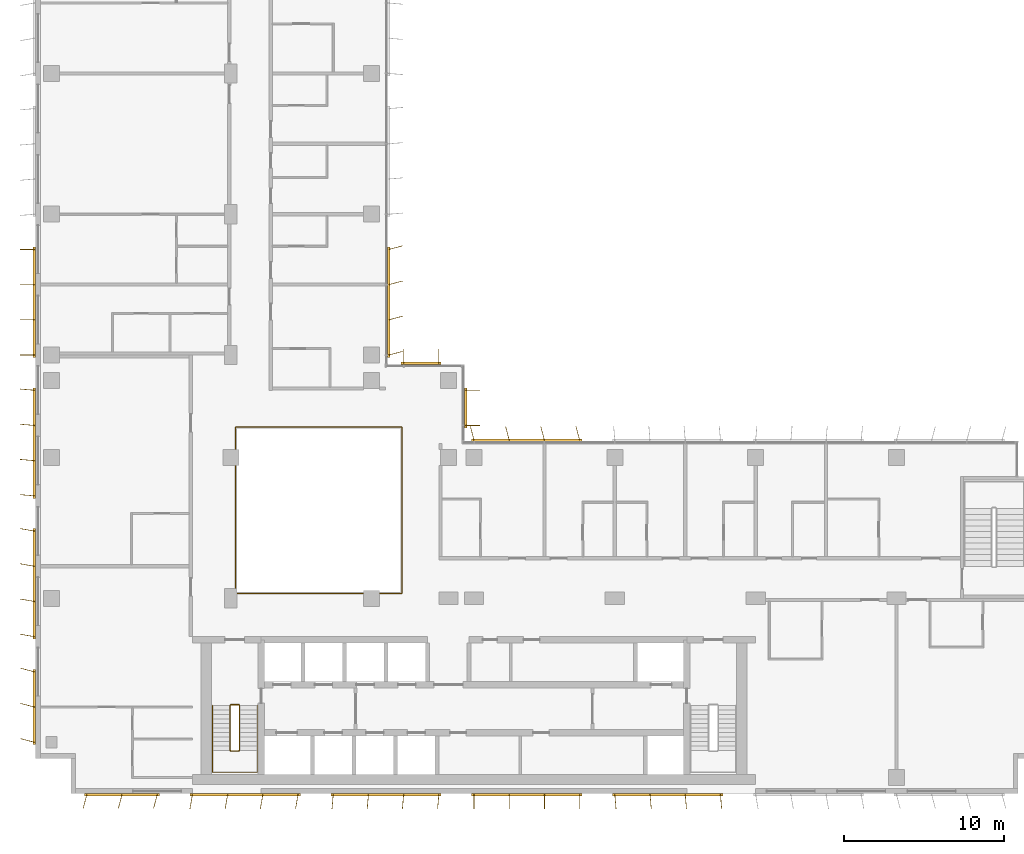
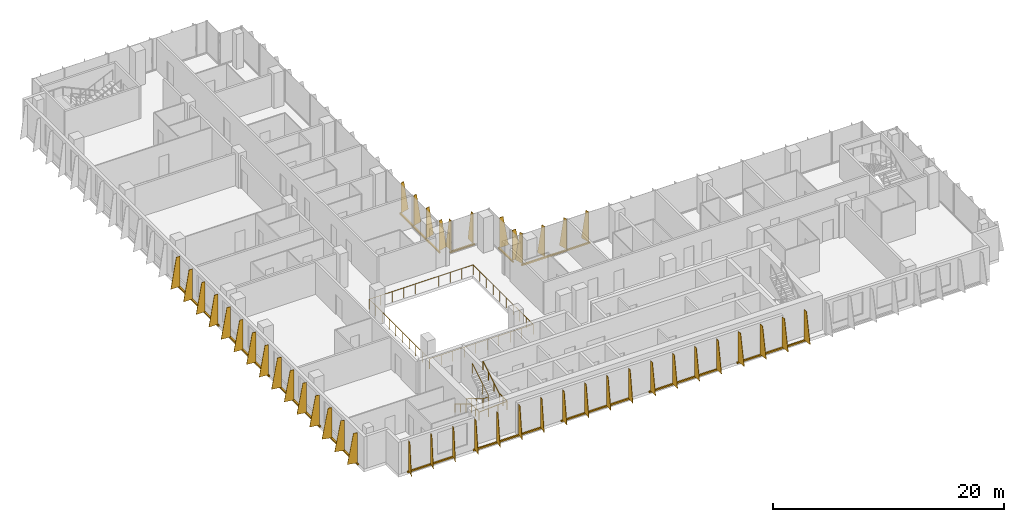
# One storey, part 19 of 21: 13 shading devices, 3 railings.
"""IFC4 building model written with IfcOpenShell, lengths in metres."""

from ifc_helpers import new_model, si_unit, direction, frame, origin, origin_2d, place, context, subcontext, project, spatial, polyline, rectangle, circle, outline, extrude, source, transform, mapped, material, layer, layer_set, type_object, element, save


model = new_model("IFC4")

# Units and contexts
model_context = context("Model", 3, precision=1e-05, world=origin(), true_north=direction((0.0, 1.0)))
body_context = subcontext(model_context, "Body", "Model", "MODEL_VIEW")
ifc_project = project(units=[si_unit("LENGTHUNIT", "METRE"), si_unit("AREAUNIT", "SQUARE_METRE"), si_unit("VOLUMEUNIT", "CUBIC_METRE"), si_unit("PLANEANGLEUNIT", "RADIAN"), si_unit("MASSUNIT", "GRAM", prefix="KILO")], contexts=[model_context])

# Site, building, storey
site_placement = place(None, origin())
site = spatial("IfcSite", under=ifc_project, at=site_placement, CompositionType="ELEMENT")
building_placement = place(site_placement, origin())
building = spatial("IfcBuilding", under=site, at=building_placement, Name="Kemantara Hotel Tower", CompositionType="ELEMENT")
storey_placement = place(building_placement, frame((0.0, 0.0, 167.89990234375)))
storey = spatial("IfcBuildingStorey", under=building, at=storey_placement, Name="L41", CompositionType="ELEMENT", Elevation=167.89990234375)

# Railings
ifc_material_1 = material(Name="Stainless steel and laminated glass balustrade", Category="steel")
railing_type_1 = type_object("IfcRailingType", Name="ATRIUM GUARD 1100", PredefinedType="GUARDRAIL", material=ifc_material_1)
railing_1_placement = place(storey_placement, frame((12.56005859375, 12.5, 0.0)))
element("IfcRailing", 1, at=railing_1_placement, inside=storey, type_object=railing_type_1, Name="ATRIUM GUARD L41", PredefinedType="GUARDRAIL", context=body_context, shape_type="SweptSolid", body=[
    extrude(circle(Radius=0.02490234375, at=origin_2d()), frame((0.0, 0.0, 1.0751953125), z_axis=(1.0, 0.0, 0.0), x_axis=(0.0, 1.0, 0.0)), (0.0, 0.0, 1.0), 10.33984375),
    extrude(circle(Radius=0.02490234375, at=origin_2d()), frame((10.33984375, 0.0, 1.0751953125), z_axis=(0.0, 1.0, 0.0), x_axis=(-1.0, 0.0, 0.0)), (0.0, 0.0, 1.0), 10.39990234375),
    extrude(circle(Radius=0.02490234375, at=origin_2d()), frame((10.33984375, 10.39990234375, 1.0751953125), z_axis=(-1.0, 0.0, 0.0), x_axis=(0.0, -1.0, 0.0)), (0.0, 0.0, 1.0), 10.39990234375),
    extrude(circle(Radius=0.02490234375, at=origin_2d()), frame((-0.06005859375, 10.39990234375, 1.0751953125), z_axis=(0.0, -1.0, 0.0), x_axis=(1.0, 0.0, 0.0)), (0.0, 0.0, 1.0), 10.39990234375),
    extrude(circle(Radius=0.02001953125, at=origin_2d()), origin(), (0.0, 0.0, 1.0), 1.050048828125),
    extrude(circle(Radius=0.02001953125, at=origin_2d()), frame((1.14892578125, 0.0, 0.0)), (0.0, 0.0, 1.0), 1.050048828125),
    extrude(circle(Radius=0.02001953125, at=origin_2d()), frame((2.2978515625, 0.0, 0.0)), (0.0, 0.0, 1.0), 1.050048828125),
    extrude(circle(Radius=0.02001953125, at=origin_2d()), frame((3.446533203125, 0.0, 0.0)), (0.0, 0.0, 1.0), 1.050048828125),
    extrude(circle(Radius=0.02001953125, at=origin_2d()), frame((4.595458984375, 0.0, 0.0)), (0.0, 0.0, 1.0), 1.050048828125),
    extrude(circle(Radius=0.02001953125, at=origin_2d()), frame((5.744384765625, 0.0, 0.0)), (0.0, 0.0, 1.0), 1.050048828125),
    extrude(circle(Radius=0.02001953125, at=origin_2d()), frame((6.893310546875, 0.0, 0.0)), (0.0, 0.0, 1.0), 1.050048828125),
    extrude(circle(Radius=0.02001953125, at=origin_2d()), frame((8.0419921875, 0.0, 0.0)), (0.0, 0.0, 1.0), 1.050048828125),
    extrude(circle(Radius=0.02001953125, at=origin_2d()), frame((9.19091796875, 0.0, 0.0)), (0.0, 0.0, 1.0), 1.050048828125),
    extrude(circle(Radius=0.02001953125, at=origin_2d()), frame((10.33984375, 0.0, 0.0)), (0.0, 0.0, 1.0), 1.050048828125),
    extrude(circle(Radius=0.02001953125, at=origin_2d()), frame((10.33984375, 1.155517578125, 0.0)), (0.0, 0.0, 1.0), 1.050048828125),
    extrude(circle(Radius=0.02001953125, at=origin_2d()), frame((10.33984375, 2.31103515625, 0.0)), (0.0, 0.0, 1.0), 1.050048828125),
    extrude(circle(Radius=0.02001953125, at=origin_2d()), frame((10.33984375, 3.466552734375, 0.0)), (0.0, 0.0, 1.0), 1.050048828125),
    extrude(circle(Radius=0.02001953125, at=origin_2d()), frame((10.33984375, 4.6220703125, 0.0)), (0.0, 0.0, 1.0), 1.050048828125),
    extrude(circle(Radius=0.02001953125, at=origin_2d()), frame((10.33984375, 5.77783203125, 0.0)), (0.0, 0.0, 1.0), 1.050048828125),
    extrude(circle(Radius=0.02001953125, at=origin_2d()), frame((10.33984375, 6.933349609375, 0.0)), (0.0, 0.0, 1.0), 1.050048828125),
    extrude(circle(Radius=0.02001953125, at=origin_2d()), frame((10.33984375, 8.0888671875, 0.0)), (0.0, 0.0, 1.0), 1.050048828125),
    extrude(circle(Radius=0.02001953125, at=origin_2d()), frame((10.33984375, 9.244384765625, 0.0)), (0.0, 0.0, 1.0), 1.050048828125),
    extrude(circle(Radius=0.02001953125, at=origin_2d()), frame((10.33984375, 10.39990234375, 0.0)), (0.0, 0.0, 1.0), 1.050048828125),
    extrude(circle(Radius=0.02001953125, at=origin_2d()), frame((9.184326171875, 10.39990234375, 0.0)), (0.0, 0.0, 1.0), 1.050048828125),
    extrude(circle(Radius=0.02001953125, at=origin_2d()), frame((8.02880859375, 10.39990234375, 0.0)), (0.0, 0.0, 1.0), 1.050048828125),
    extrude(circle(Radius=0.02001953125, at=origin_2d()), frame((6.873291015625, 10.39990234375, 0.0)), (0.0, 0.0, 1.0), 1.050048828125),
    extrude(circle(Radius=0.02001953125, at=origin_2d()), frame((5.7177734375, 10.39990234375, 0.0)), (0.0, 0.0, 1.0), 1.050048828125),
    extrude(circle(Radius=0.02001953125, at=origin_2d()), frame((4.56201171875, 10.39990234375, 0.0)), (0.0, 0.0, 1.0), 1.050048828125),
    extrude(circle(Radius=0.02001953125, at=origin_2d()), frame((3.406494140625, 10.39990234375, 0.0)), (0.0, 0.0, 1.0), 1.050048828125),
    extrude(circle(Radius=0.02001953125, at=origin_2d()), frame((2.2509765625, 10.39990234375, 0.0)), (0.0, 0.0, 1.0), 1.050048828125),
    extrude(circle(Radius=0.02001953125, at=origin_2d()), frame((1.095458984375, 10.39990234375, 0.0)), (0.0, 0.0, 1.0), 1.050048828125),
    extrude(circle(Radius=0.02001953125, at=origin_2d()), frame((-0.06005859375, 10.39990234375, 0.0)), (0.0, 0.0, 1.0), 1.050048828125),
    extrude(circle(Radius=0.02001953125, at=origin_2d()), frame((-0.06005859375, 9.244384765625, 0.0)), (0.0, 0.0, 1.0), 1.050048828125),
    extrude(circle(Radius=0.02001953125, at=origin_2d()), frame((-0.06005859375, 8.0888671875, 0.0)), (0.0, 0.0, 1.0), 1.050048828125),
    extrude(circle(Radius=0.02001953125, at=origin_2d()), frame((-0.06005859375, 6.933349609375, 0.0)), (0.0, 0.0, 1.0), 1.050048828125),
    extrude(circle(Radius=0.02001953125, at=origin_2d()), frame((-0.06005859375, 5.77783203125, 0.0)), (0.0, 0.0, 1.0), 1.050048828125),
    extrude(circle(Radius=0.02001953125, at=origin_2d()), frame((-0.06005859375, 4.6220703125, 0.0)), (0.0, 0.0, 1.0), 1.050048828125),
    extrude(circle(Radius=0.02001953125, at=origin_2d()), frame((-0.06005859375, 3.466552734375, 0.0)), (0.0, 0.0, 1.0), 1.050048828125),
    extrude(circle(Radius=0.02001953125, at=origin_2d()), frame((-0.06005859375, 2.31103515625, 0.0)), (0.0, 0.0, 1.0), 1.050048828125),
    extrude(circle(Radius=0.02001953125, at=origin_2d()), frame((-0.06005859375, 1.155517578125, 0.0)), (0.0, 0.0, 1.0), 1.050048828125),
    extrude(circle(Radius=0.02001953125, at=origin_2d()), frame((-0.06005859375, 0.0, 0.0)), (0.0, 0.0, 1.0), 1.050048828125),
])
ifc_material_2 = material(Name="Stainless steel balustrade", Category="steel")
railing_type_2 = type_object("IfcRailingType", Name="Stair guard 1100 mm", PredefinedType="GUARDRAIL", material=ifc_material_2)
railing_2_placement = place(storey_placement, frame((12.75, 5.5, 3.7001953125)))
element("IfcRailing", 2, at=railing_2_placement, inside=storey, type_object=railing_type_2, Name="L41 ST1 stair guard 1", PredefinedType="GUARDRAIL", context=body_context, shape_type="SweptSolid", body=[
    extrude(circle(Radius=0.02392578125, at=origin_2d()), frame((0.0, 0.0, 1.076171875), z_axis=(0.0, -0.857242210791, -0.514913383045), x_axis=(1.0, 0.0, 0.0)), (0.0, 0.0, 1.0), 3.266357421875),
    extrude(circle(Radius=0.02392578125, at=origin_2d()), frame((0.0, -2.800048828125, -0.60595703125), z_axis=(-0.274243871929, -0.274243871929, -0.92172696468), x_axis=(0.707106781187, -0.707106781187, 0.0)), (0.0, 0.0, 1.0), 0.1826171875),
    extrude(circle(Radius=0.02392578125, at=origin_2d()), frame((-0.050048828125, -2.85009765625, -0.77392578125), z_axis=(-1.0, 0.0, 0.0), x_axis=(0.0, -1.0, 0.0)), (0.0, 0.0, 1.0), 0.5),
    extrude(circle(Radius=0.02392578125, at=origin_2d()), frame((-0.550048828125, -2.85009765625, -0.77392578125), z_axis=(-0.707106781187, 0.707106781187, 0.0), x_axis=(-0.707106781187, -0.707106781187, 0.0)), (0.0, 0.0, 1.0), 0.07080078125),
    extrude(circle(Radius=0.02392578125, at=origin_2d()), frame((-0.60009765625, -2.800048828125, -0.77392578125), z_axis=(0.0, 0.857242210791, -0.514913383045), x_axis=(-1.0, 0.0, 0.0)), (0.0, 0.0, 1.0), 3.266357421875),
    extrude(circle(Radius=0.02392578125, at=origin_2d()), frame((-0.60009765625, 0.0, -2.4560546875), z_axis=(0.274243871929, 0.274243871929, -0.92172696468), x_axis=(-0.707106781187, 0.707106781187, 0.0)), (0.0, 0.0, 1.0), 0.1826171875),
    extrude(circle(Radius=0.02392578125, at=origin_2d()), frame((-0.550048828125, 0.050048828125, -2.6240234375), z_axis=(1.0, 0.0, 0.0), x_axis=(0.0, 1.0, 0.0)), (0.0, 0.0, 1.0), 0.5),
    extrude(circle(Radius=0.02099609375, at=origin_2d()), origin(), (0.0, 0.0, 1.0), 1.052001953125),
    extrude(circle(Radius=0.02099609375, at=origin_2d()), frame((0.0, -0.933349609375, -0.560546875)), (0.0, 0.0, 1.0), 1.052001953125),
    extrude(circle(Radius=0.02099609375, at=origin_2d()), frame((0.0, -1.86669921875, -1.121337890625)), (0.0, 0.0, 1.0), 1.052001953125),
    extrude(circle(Radius=0.02099609375, at=origin_2d()), frame((0.0, -2.800048828125, -1.681884765625)), (0.0, 0.0, 1.0), 1.052001953125),
    extrude(circle(Radius=0.02099609375, at=origin_2d()), frame((-0.050048828125, -2.85009765625, -1.85009765625)), (0.0, 0.0, 1.0), 1.052001953125),
    extrude(circle(Radius=0.02099609375, at=origin_2d()), frame((-0.550048828125, -2.85009765625, -1.85009765625)), (0.0, 0.0, 1.0), 1.052001953125),
    extrude(circle(Radius=0.02099609375, at=origin_2d()), frame((-0.60009765625, -2.800048828125, -1.85009765625)), (0.0, 0.0, 1.0), 1.052001953125),
    extrude(circle(Radius=0.02099609375, at=origin_2d()), frame((-0.60009765625, -1.86669921875, -2.41064453125)), (0.0, 0.0, 1.0), 1.052001953125),
    extrude(circle(Radius=0.02099609375, at=origin_2d()), frame((-0.60009765625, -0.933349609375, -2.971435546875)), (0.0, 0.0, 1.0), 1.052001953125),
    extrude(circle(Radius=0.02099609375, at=origin_2d()), frame((-0.60009765625, 0.0, -3.531982421875)), (0.0, 0.0, 1.0), 1.052001953125),
    extrude(circle(Radius=0.02099609375, at=origin_2d()), frame((-0.550048828125, 0.050048828125, -3.7001953125)), (0.0, 0.0, 1.0), 1.052001953125),
    extrude(circle(Radius=0.02099609375, at=origin_2d()), frame((-0.050048828125, 0.050048828125, -3.7001953125)), (0.0, 0.0, 1.0), 1.052001953125),
])
railing_type_3 = type_object("IfcRailingType", Name="Stair handrail 900 mm", PredefinedType="HANDRAIL", material=ifc_material_2)
railing_3_placement = place(storey_placement, frame((11.050048828125, 5.5, 0.168212890625)))
element("IfcRailing", 3, at=railing_3_placement, inside=storey, type_object=railing_type_3, Name="L41 ST1 stair handrail 1", PredefinedType="HANDRAIL", context=body_context, shape_type="SweptSolid", body=[
    extrude(circle(Radius=0.02392578125, at=origin_2d()), frame((0.0, 0.0, 0.8759765625), z_axis=(0.0, -0.857242210791, 0.514913383045), x_axis=(1.0, 0.0, 0.0)), (0.0, 0.0, 1.0), 3.266357421875),
    extrude(circle(Radius=0.02392578125, at=origin_2d()), frame((0.0, -2.800048828125, 2.5576171875), z_axis=(0.0, -1.0, 0.0), x_axis=(1.0, 0.0, 0.0)), (0.0, 0.0, 1.0), 1.3798828125),
    extrude(circle(Radius=0.02392578125, at=origin_2d()), frame((0.0, -4.179931640625, 2.5576171875), z_axis=(0.998200367801, 0.0, 0.059966871865), x_axis=(0.0, 1.0, 0.0)), (0.0, 0.0, 1.0), 2.80517578125),
    extrude(circle(Radius=0.02392578125, at=origin_2d()), frame((2.800048828125, -4.179931640625, 2.72607421875), z_axis=(0.0, 1.0, 0.0), x_axis=(-1.0, 0.0, 0.0)), (0.0, 0.0, 1.0), 1.3798828125),
    extrude(circle(Radius=0.02392578125, at=origin_2d()), frame((2.800048828125, -2.800048828125, 2.72607421875), z_axis=(0.0, 0.857242210791, 0.514913383045), x_axis=(-1.0, 0.0, 0.0)), (0.0, 0.0, 1.0), 3.266357421875),
    extrude(circle(Radius=0.02099609375, at=origin_2d()), origin(), (0.0, 0.0, 1.0), 0.851806640625),
    extrude(circle(Radius=0.02099609375, at=origin_2d()), frame((0.0, -0.933349609375, 0.560546875)), (0.0, 0.0, 1.0), 0.851806640625),
    extrude(circle(Radius=0.02099609375, at=origin_2d()), frame((0.0, -1.86669921875, 1.121337890625)), (0.0, 0.0, 1.0), 0.851806640625),
    extrude(circle(Radius=0.02099609375, at=origin_2d()), frame((0.0, -2.800048828125, 1.681884765625)), (0.0, 0.0, 1.0), 0.851806640625),
    extrude(circle(Radius=0.02099609375, at=origin_2d()), frame((0.0, -3.489990234375, 1.681884765625)), (0.0, 0.0, 1.0), 0.851806640625),
    extrude(circle(Radius=0.02099609375, at=origin_2d()), frame((0.0, -4.179931640625, 1.681884765625)), (0.0, 0.0, 1.0), 0.851806640625),
    extrude(circle(Radius=0.02099609375, at=origin_2d()), frame((0.933349609375, -4.179931640625, 1.738037109375)), (0.0, 0.0, 1.0), 0.851806640625),
    extrude(circle(Radius=0.02099609375, at=origin_2d()), frame((1.86669921875, -4.179931640625, 1.7939453125)), (0.0, 0.0, 1.0), 0.851806640625),
    extrude(circle(Radius=0.02099609375, at=origin_2d()), frame((2.800048828125, -4.179931640625, 1.85009765625)), (0.0, 0.0, 1.0), 0.851806640625),
    extrude(circle(Radius=0.02099609375, at=origin_2d()), frame((2.800048828125, -3.489990234375, 1.85009765625)), (0.0, 0.0, 1.0), 0.851806640625),
    extrude(circle(Radius=0.02099609375, at=origin_2d()), frame((2.800048828125, -2.800048828125, 1.85009765625)), (0.0, 0.0, 1.0), 0.851806640625),
    extrude(circle(Radius=0.02099609375, at=origin_2d()), frame((2.800048828125, -1.86669921875, 2.41064453125)), (0.0, 0.0, 1.0), 0.851806640625),
    extrude(circle(Radius=0.02099609375, at=origin_2d()), frame((2.800048828125, -0.933349609375, 2.971435546875)), (0.0, 0.0, 1.0), 0.851806640625),
    extrude(circle(Radius=0.02099609375, at=origin_2d()), frame((2.800048828125, 0.0, 3.531982421875)), (0.0, 0.0, 1.0), 0.851806640625),
])

# Shading devices
ifc_material_3 = material(Name="Perforated aluminium plate 4 mm bronze anodised", Category="aluminium")
ifc_layer_1 = layer(ifc_material_3, 0.0400390625)
ifc_layer_set_1 = layer_set([ifc_layer_1], Name="Perforated aluminium plate 4 mm bronze anodised")
shading_device_type_1 = type_object("IfcShadingDeviceType", Name="SCREEN FIN CASSETTE, 3 BLADES AT -15.0 DEG, 3200 HIGH", PredefinedType="USERDEFINED", material=ifc_layer_set_1)
shared_shape_1 = source(origin(), body_context, "Body", "SweptSolid", [
    extrude(rectangle(XDim=4.699951171875, YDim=0.14990234375, at=origin_2d()), frame((2.199951171875, -0.074951171875, -0.14990234375), z_axis=(0.0, 0.0, 1.0), x_axis=(1.0, 0.0, 0.0)), (0.0, 0.0, 1.0), 0.14990234375),
    extrude(outline(polyline([(0.0, 0.0), (0.89990234375, 0.0), (0.35009765625, 3.199951171875), (0.0, 3.199951171875), (0.0, 0.0)])), frame((0.019287109375, -0.080078125, 0.0), z_axis=(-0.966437683387, 0.256901156343, 0.0), x_axis=(-0.256901156343, -0.966437683387, 0.0)), (0.0, 0.0, 1.0), 0.039794921875),
    extrude(outline(polyline([(0.0, 0.0), (0.89990234375, 0.0), (0.35009765625, 3.199951171875), (0.0, 3.199951171875), (0.0, 0.0)])), frame((2.21923828125, -0.080078125, 0.0), z_axis=(-0.966437683387, 0.256901156343, 0.0), x_axis=(-0.256901156343, -0.966437683387, 0.0)), (0.0, 0.0, 1.0), 0.039794921875),
    extrude(outline(polyline([(0.0, 0.0), (0.89990234375, 0.0), (0.35009765625, 3.199951171875), (0.0, 3.199951171875), (0.0, 0.0)])), frame((4.41943359375, -0.080078125, 0.0), z_axis=(-0.966837822169, 0.255391122837, 0.0), x_axis=(-0.255391122837, -0.966837822169, 0.0)), (0.0, 0.0, 1.0), 0.0400390625),
])
for number, where, z_axis, x_axis, name in (
    (4, (0.0, 7.60009765625, 0.10009765625), (0.0, 0.0, 1.0), (0.0, -1.0, 0.0), "SCREEN FIN CASSETTE L41 T3-R05-7"),
    (5, (3.199951171875, 0.0, 0.10009765625), (0.0, 0.0, 1.0), (1.0, 0.0, 0.0), "SCREEN FIN CASSETTE L41 T3-R08-1"),
):
    element("IfcShadingDevice", number, at=place(storey_placement, frame(where, z_axis=z_axis, x_axis=x_axis)), inside=storey, type_object=shading_device_type_1, Name=name, ObjectType="SCREEN FIN", PredefinedType="USERDEFINED", context=body_context, shape_type="MappedRepresentation", body=[
        mapped(shared_shape_1, transform((0.0, 0.0, 0.0))),
    ])
ifc_layer_2 = layer(ifc_material_3, 0.0400390625)
ifc_layer_set_2 = layer_set([ifc_layer_2], Name="Perforated aluminium plate 4 mm bronze anodised")
shading_device_type_2 = type_object("IfcShadingDeviceType", Name="SCREEN FIN CASSETTE, 4 BLADES AT -10.0 DEG, 3200 HIGH", PredefinedType="USERDEFINED", material=ifc_layer_set_2)
shared_shape_2 = source(origin(), body_context, "Body", "SweptSolid", [
    extrude(rectangle(XDim=6.89990234375, YDim=0.14990234375, at=origin_2d()), frame((3.300048828125, -0.074951171875, -0.14990234375), z_axis=(0.0, 0.0, 1.0), x_axis=(1.0, 0.0, 0.0)), (0.0, 0.0, 1.0), 0.14990234375),
    extrude(outline(polyline([(0.0, 0.0), (0.89990234375, 0.0), (0.35009765625, 3.199951171875), (0.0, 3.199951171875), (0.0, 0.0)])), frame((0.019775390625, -0.078369140625, 0.0), z_axis=(-0.985389793052, 0.170314285219, 0.0), x_axis=(-0.170314285219, -0.985389793052, 0.0)), (0.0, 0.0, 1.0), 0.0400390625),
    extrude(outline(polyline([(0.0, 0.0), (0.89990234375, 0.0), (0.35009765625, 3.199951171875), (0.0, 3.199951171875), (0.0, 0.0)])), frame((2.2197265625, -0.078369140625, 0.0), z_axis=(-0.98521175482, 0.171341174751, 0.0), x_axis=(-0.171341174751, -0.98521175482, 0.0)), (0.0, 0.0, 1.0), 0.039794921875),
    extrude(outline(polyline([(0.0, 0.0), (0.89990234375, 0.0), (0.35009765625, 3.199951171875), (0.0, 3.199951171875), (0.0, 0.0)])), frame((4.419677734375, -0.078369140625, 0.0), z_axis=(-0.98521175482, 0.171341174751, 0.0), x_axis=(-0.171341174751, -0.98521175482, 0.0)), (0.0, 0.0, 1.0), 0.039794921875),
    extrude(outline(polyline([(0.0, 0.0), (0.89990234375, 0.0), (0.35009765625, 3.199951171875), (0.0, 3.199951171875), (0.0, 0.0)])), frame((6.61962890625, -0.078369140625, 0.0), z_axis=(-0.98521175482, 0.171341174751, 0.0), x_axis=(-0.171341174751, -0.98521175482, 0.0)), (0.0, 0.0, 1.0), 0.039794921875),
])
for number, where, z_axis, x_axis, name in (
    (6, (0.0, 16.39990234375, 0.10009765625), (0.0, 0.0, 1.0), (0.0, -1.0, 0.0), "SCREEN FIN CASSETTE L41 T3-R05-6"),
    (7, (9.800048828125, 0.0, 0.10009765625), (0.0, 0.0, 1.0), (1.0, 0.0, 0.0), "SCREEN FIN CASSETTE L41 T3-R08-2"),
):
    element("IfcShadingDevice", number, at=place(storey_placement, frame(where, z_axis=z_axis, x_axis=x_axis)), inside=storey, type_object=shading_device_type_2, Name=name, ObjectType="SCREEN FIN", PredefinedType="USERDEFINED", context=body_context, shape_type="MappedRepresentation", body=[
        mapped(shared_shape_2, transform((0.0, 0.0, 0.0))),
    ])
ifc_layer_3 = layer(ifc_material_3, 0.0400390625)
ifc_layer_set_3 = layer_set([ifc_layer_3], Name="Perforated aluminium plate 4 mm bronze anodised")
shading_device_type_3 = type_object("IfcShadingDeviceType", Name="SCREEN FIN CASSETTE, 4 BLADES AT -5.0 DEG, 3200 HIGH", PredefinedType="USERDEFINED", material=ifc_layer_set_3)
shared_shape_3 = source(origin(), body_context, "Body", "SweptSolid", [
    extrude(rectangle(XDim=6.89990234375, YDim=0.14990234375, at=origin_2d()), frame((3.300048828125, -0.074951171875, -0.14990234375), z_axis=(0.0, 0.0, 1.0), x_axis=(1.0, 0.0, 0.0)), (0.0, 0.0, 1.0), 0.14990234375),
    extrude(outline(polyline([(0.0, 0.0), (0.89990234375, 0.0), (0.35009765625, 3.199951171875), (0.0, 3.199951171875), (0.0, 0.0)])), frame((0.02001953125, -0.07666015625, 0.0), z_axis=(-0.996376129781, 0.085056498884, 0.0), x_axis=(-0.085056498884, -0.996376129781, 0.0)), (0.0, 0.0, 1.0), 0.040283203125),
    extrude(outline(polyline([(0.0, 0.0), (0.89990234375, 0.0), (0.35009765625, 3.199951171875), (0.0, 3.199951171875), (0.0, 0.0)])), frame((2.219970703125, -0.07666015625, 0.0), z_axis=(-0.996331773833, 0.085574508182, 0.0), x_axis=(-0.085574508182, -0.996331773833, 0.0)), (0.0, 0.0, 1.0), 0.0400390625),
    extrude(outline(polyline([(0.0, 0.0), (0.89990234375, 0.0), (0.35009765625, 3.199951171875), (0.0, 3.199951171875), (0.0, 0.0)])), frame((4.419921875, -0.07666015625, 0.0), z_axis=(-0.996331773833, 0.085574508182, 0.0), x_axis=(-0.085574508182, -0.996331773833, 0.0)), (0.0, 0.0, 1.0), 0.0400390625),
    extrude(outline(polyline([(0.0, 0.0), (0.89990234375, 0.0), (0.35009765625, 3.199951171875), (0.0, 3.199951171875), (0.0, 0.0)])), frame((6.619873046875, -0.07666015625, 0.0), z_axis=(-0.996331773833, 0.085574508182, 0.0), x_axis=(-0.085574508182, -0.996331773833, 0.0)), (0.0, 0.0, 1.0), 0.0400390625),
])
for number, where, z_axis, x_axis, name in (
    (8, (0.0, 25.199951171875, 0.10009765625), (0.0, 0.0, 1.0), (0.0, -1.0, 0.0), "SCREEN FIN CASSETTE L41 T3-R05-5"),
    (9, (18.60009765625, 0.0, 0.10009765625), (0.0, 0.0, 1.0), (1.0, 0.0, 0.0), "SCREEN FIN CASSETTE L41 T3-R08-3"),
):
    element("IfcShadingDevice", number, at=place(storey_placement, frame(where, z_axis=z_axis, x_axis=x_axis)), inside=storey, type_object=shading_device_type_3, Name=name, ObjectType="SCREEN FIN", PredefinedType="USERDEFINED", context=body_context, shape_type="MappedRepresentation", body=[
        mapped(shared_shape_3, transform((0.0, 0.0, 0.0))),
    ])
ifc_layer_4 = layer(ifc_material_3, 0.0400390625)
ifc_layer_set_4 = layer_set([ifc_layer_4], Name="Perforated aluminium plate 4 mm bronze anodised")
shading_device_type_4 = type_object("IfcShadingDeviceType", Name="SCREEN FIN CASSETTE, 4 BLADES AT +0.0 DEG, 3200 HIGH", PredefinedType="USERDEFINED", material=ifc_layer_set_4)
shared_shape_4 = source(origin(), body_context, "Body", "SweptSolid", [
    extrude(rectangle(XDim=6.89990234375, YDim=0.14990234375, at=origin_2d()), frame((3.300048828125, -0.074951171875, -0.14990234375), z_axis=(0.0, 0.0, 1.0), x_axis=(1.0, 0.0, 0.0)), (0.0, 0.0, 1.0), 0.14990234375),
    extrude(outline(polyline([(0.0, 0.0), (0.89990234375, 0.0), (0.35009765625, 3.199951171875), (0.0, 3.199951171875), (0.0, 0.0)])), frame((0.02001953125, -0.074951171875, 0.0), z_axis=(-1.0, 0.0, 0.0), x_axis=(0.0, -1.0, 0.0)), (0.0, 0.0, 1.0), 0.0400390625),
    extrude(outline(polyline([(0.0, 0.0), (0.89990234375, 0.0), (0.35009765625, 3.199951171875), (0.0, 3.199951171875), (0.0, 0.0)])), frame((2.219970703125, -0.074951171875, 0.0), z_axis=(-1.0, 0.0, 0.0), x_axis=(0.0, -1.0, 0.0)), (0.0, 0.0, 1.0), 0.0400390625),
    extrude(outline(polyline([(0.0, 0.0), (0.89990234375, 0.0), (0.35009765625, 3.199951171875), (0.0, 3.199951171875), (0.0, 0.0)])), frame((4.419921875, -0.074951171875, 0.0), z_axis=(-1.0, 0.0, 0.0), x_axis=(0.0, -1.0, 0.0)), (0.0, 0.0, 1.0), 0.0400390625),
    extrude(outline(polyline([(0.0, 0.0), (0.89990234375, 0.0), (0.35009765625, 3.199951171875), (0.0, 3.199951171875), (0.0, 0.0)])), frame((6.6201171875, -0.074951171875, 0.0), z_axis=(-1.0, 0.0, 0.0), x_axis=(0.0, -1.0, 0.0)), (0.0, 0.0, 1.0), 0.0400390625),
])
for number, where, z_axis, x_axis, name in (
    (10, (0.0, 34.0, 0.10009765625), (0.0, 0.0, 1.0), (0.0, -1.0, 0.0), "SCREEN FIN CASSETTE L41 T3-R05-4"),
    (11, (27.39990234375, 0.0, 0.10009765625), (0.0, 0.0, 1.0), (1.0, 0.0, 0.0), "SCREEN FIN CASSETTE L41 T3-R08-4"),
):
    element("IfcShadingDevice", number, at=place(storey_placement, frame(where, z_axis=z_axis, x_axis=x_axis)), inside=storey, type_object=shading_device_type_4, Name=name, ObjectType="SCREEN FIN", PredefinedType="USERDEFINED", context=body_context, shape_type="MappedRepresentation", body=[
        mapped(shared_shape_4, transform((0.0, 0.0, 0.0))),
    ])
ifc_layer_5 = layer(ifc_material_3, 0.0400390625)
ifc_layer_set_5 = layer_set([ifc_layer_5], Name="Perforated aluminium plate 4 mm bronze anodised")
shading_device_type_5 = type_object("IfcShadingDeviceType", Name="SCREEN FIN CASSETTE, 4 BLADES AT +5.0 DEG, 3200 HIGH", PredefinedType="USERDEFINED", material=ifc_layer_set_5)
shared_shape_5 = source(origin(), body_context, "Body", "SweptSolid", [
    extrude(rectangle(XDim=6.89990234375, YDim=0.14990234375, at=origin_2d()), frame((3.300048828125, -0.074951171875, -0.14990234375), z_axis=(0.0, 0.0, 1.0), x_axis=(1.0, 0.0, 0.0)), (0.0, 0.0, 1.0), 0.14990234375),
    extrude(outline(polyline([(0.0, 0.0), (0.89990234375, 0.0), (0.35009765625, 3.199951171875), (0.0, 3.199951171875), (0.0, 0.0)])), frame((0.02001953125, -0.0732421875, 0.0), z_axis=(-0.996376129781, -0.085056498884, 0.0), x_axis=(0.085056498884, -0.996376129781, 0.0)), (0.0, 0.0, 1.0), 0.040283203125),
    extrude(outline(polyline([(0.0, 0.0), (0.89990234375, 0.0), (0.35009765625, 3.199951171875), (0.0, 3.199951171875), (0.0, 0.0)])), frame((2.219970703125, -0.0732421875, 0.0), z_axis=(-0.996331773833, -0.085574508182, 0.0), x_axis=(0.085574508182, -0.996331773833, 0.0)), (0.0, 0.0, 1.0), 0.0400390625),
    extrude(outline(polyline([(0.0, 0.0), (0.89990234375, 0.0), (0.35009765625, 3.199951171875), (0.0, 3.199951171875), (0.0, 0.0)])), frame((4.419921875, -0.0732421875, 0.0), z_axis=(-0.996331773833, -0.085574508182, 0.0), x_axis=(0.085574508182, -0.996331773833, 0.0)), (0.0, 0.0, 1.0), 0.0400390625),
    extrude(outline(polyline([(0.0, 0.0), (0.89990234375, 0.0), (0.35009765625, 3.199951171875), (0.0, 3.199951171875), (0.0, 0.0)])), frame((6.619873046875, -0.0732421875, 0.0), z_axis=(-0.996331773833, -0.085574508182, 0.0), x_axis=(0.085574508182, -0.996331773833, 0.0)), (0.0, 0.0, 1.0), 0.0400390625),
])
shading_device_placement = place(storey_placement, frame((36.199951171875, 0.0, 0.10009765625), z_axis=(0.0, 0.0, 1.0), x_axis=(1.0, 0.0, 0.0)))
element("IfcShadingDevice", 12, at=shading_device_placement, inside=storey, type_object=shading_device_type_5, Name="SCREEN FIN CASSETTE L41 T3-R08-5", ObjectType="SCREEN FIN", PredefinedType="USERDEFINED", context=body_context, shape_type="MappedRepresentation", body=[
    mapped(shared_shape_5, transform((0.0, 0.0, 0.0))),
])
ifc_layer_6 = layer(ifc_material_3, 0.0400390625)
ifc_layer_set_6 = layer_set([ifc_layer_6], Name="Perforated aluminium plate 4 mm bronze anodised")
shading_device_type_6 = type_object("IfcShadingDeviceType", Name="SCREEN FIN CASSETTE, 4 BLADES AT +15.0 DEG, 3200 HIGH", PredefinedType="USERDEFINED", material=ifc_layer_set_6)
shared_shape_6 = source(origin(), body_context, "Body", "SweptSolid", [
    extrude(rectangle(XDim=6.89990234375, YDim=0.14990234375, at=origin_2d()), frame((3.300048828125, -0.074951171875, -0.14990234375), z_axis=(0.0, 0.0, 1.0), x_axis=(1.0, 0.0, 0.0)), (0.0, 0.0, 1.0), 0.14990234375),
    extrude(outline(polyline([(0.0, 0.0), (0.89990234375, 0.0), (0.35009765625, 3.199951171875), (0.0, 3.199951171875), (0.0, 0.0)])), frame((0.019287109375, -0.06982421875, 0.0), z_axis=(-0.966437683387, -0.256901156343, 0.0), x_axis=(0.256901156343, -0.966437683387, 0.0)), (0.0, 0.0, 1.0), 0.039794921875),
    extrude(outline(polyline([(0.0, 0.0), (0.89990234375, 0.0), (0.35009765625, 3.199951171875), (0.0, 3.199951171875), (0.0, 0.0)])), frame((2.21923828125, -0.06982421875, 0.0), z_axis=(-0.966437683387, -0.256901156343, 0.0), x_axis=(0.256901156343, -0.966437683387, 0.0)), (0.0, 0.0, 1.0), 0.039794921875),
    extrude(outline(polyline([(0.0, 0.0), (0.89990234375, 0.0), (0.35009765625, 3.199951171875), (0.0, 3.199951171875), (0.0, 0.0)])), frame((4.41943359375, -0.06982421875, 0.0), z_axis=(-0.966837822169, -0.255391122837, 0.0), x_axis=(0.255391122837, -0.966837822169, 0.0)), (0.0, 0.0, 1.0), 0.0400390625),
    extrude(outline(polyline([(0.0, 0.0), (0.89990234375, 0.0), (0.35009765625, 3.199951171875), (0.0, 3.199951171875), (0.0, 0.0)])), frame((6.619384765625, -0.06982421875, 0.0), z_axis=(-0.966837822169, -0.255391122837, 0.0), x_axis=(0.255391122837, -0.966837822169, 0.0)), (0.0, 0.0, 1.0), 0.0400390625),
])
for number, where, z_axis, x_axis, name in (
    (13, (34.0, 22.0, 0.10009765625), (0.0, 0.0, 1.0), (-1.0, 0.0, 0.0), "SCREEN FIN CASSETTE L41 T3-R14-4"),
    (14, (22.0, 27.39990234375, 0.10009765625), (0.0, 0.0, 1.0), (0.0, 1.0, 0.0), "SCREEN FIN CASSETTE L41 T3-R17-1"),
):
    element("IfcShadingDevice", number, at=place(storey_placement, frame(where, z_axis=z_axis, x_axis=x_axis)), inside=storey, type_object=shading_device_type_6, Name=name, ObjectType="SCREEN FIN", PredefinedType="USERDEFINED", context=body_context, shape_type="MappedRepresentation", body=[
        mapped(shared_shape_6, transform((0.0, 0.0, 0.0))),
    ])
ifc_layer_7 = layer(ifc_material_3, 0.0400390625)
ifc_layer_set_7 = layer_set([ifc_layer_7], Name="Perforated aluminium plate 4 mm bronze anodised")
shading_device_type_7 = type_object("IfcShadingDeviceType", Name="SCREEN FIN CASSETTE, 2 BLADES AT +0.0 DEG, 3200 HIGH", PredefinedType="USERDEFINED", material=ifc_layer_set_7)
shared_shape_7 = source(origin(), body_context, "Body", "SweptSolid", [
    extrude(rectangle(XDim=2.5, YDim=0.14990234375, at=origin_2d()), frame((1.10009765625, -0.074951171875, -0.14990234375), z_axis=(0.0, 0.0, 1.0), x_axis=(1.0, 0.0, 0.0)), (0.0, 0.0, 1.0), 0.14990234375),
    extrude(outline(polyline([(0.0, 0.0), (0.89990234375, 0.0), (0.35009765625, 3.199951171875), (0.0, 3.199951171875), (0.0, 0.0)])), frame((0.02001953125, -0.074951171875, 0.0), z_axis=(-1.0, 0.0, 0.0), x_axis=(0.0, -1.0, 0.0)), (0.0, 0.0, 1.0), 0.0400390625),
    extrude(outline(polyline([(0.0, 0.0), (0.89990234375, 0.0), (0.35009765625, 3.199951171875), (0.0, 3.199951171875), (0.0, 0.0)])), frame((2.219970703125, -0.074951171875, 0.0), z_axis=(-1.0, 0.0, 0.0), x_axis=(0.0, -1.0, 0.0)), (0.0, 0.0, 1.0), 0.0400390625),
])
for number, where, z_axis, x_axis, name in (
    (15, (26.800048828125, 23.0, 0.10009765625), (0.0, 0.0, 1.0), (0.0, 1.0, 0.0), "SCREEN FIN CASSETTE L41 T3-R15-1"),
    (16, (25.199951171875, 26.800048828125, 0.10009765625), (0.0, 0.0, 1.0), (-1.0, 0.0, 0.0), "SCREEN FIN CASSETTE L41 T3-R16-1"),
):
    element("IfcShadingDevice", number, at=place(storey_placement, frame(where, z_axis=z_axis, x_axis=x_axis)), inside=storey, type_object=shading_device_type_7, Name=name, ObjectType="SCREEN FIN", PredefinedType="USERDEFINED", context=body_context, shape_type="MappedRepresentation", body=[
        mapped(shared_shape_7, transform((0.0, 0.0, 0.0))),
    ])

save(model, "model.ifc")
